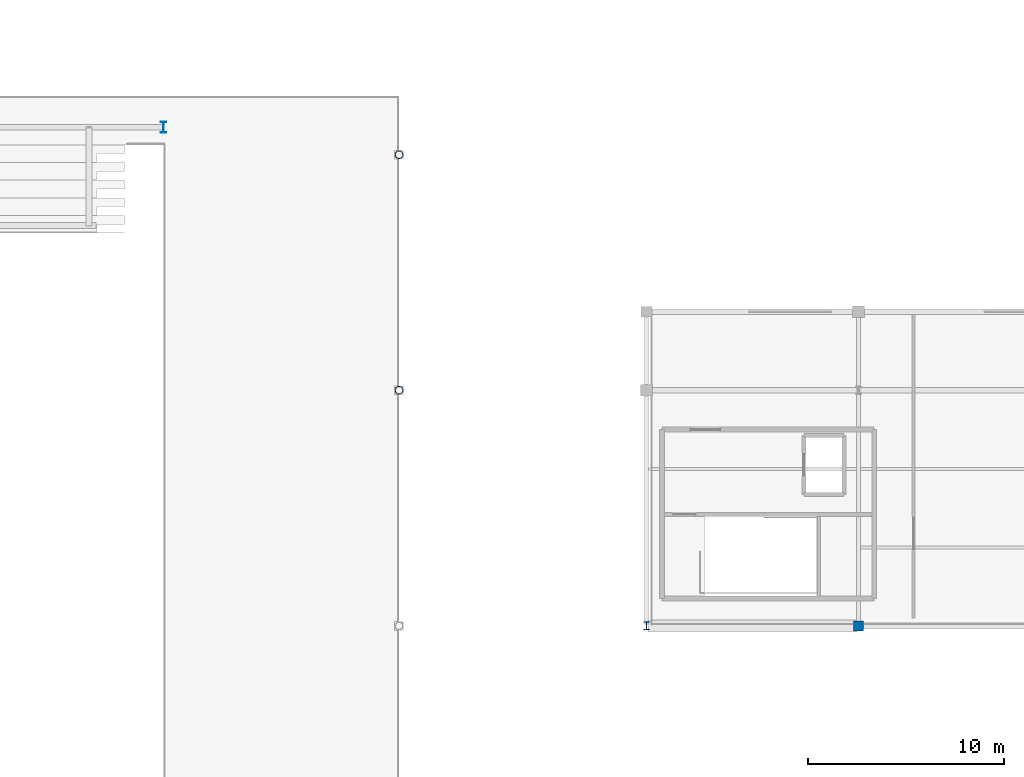
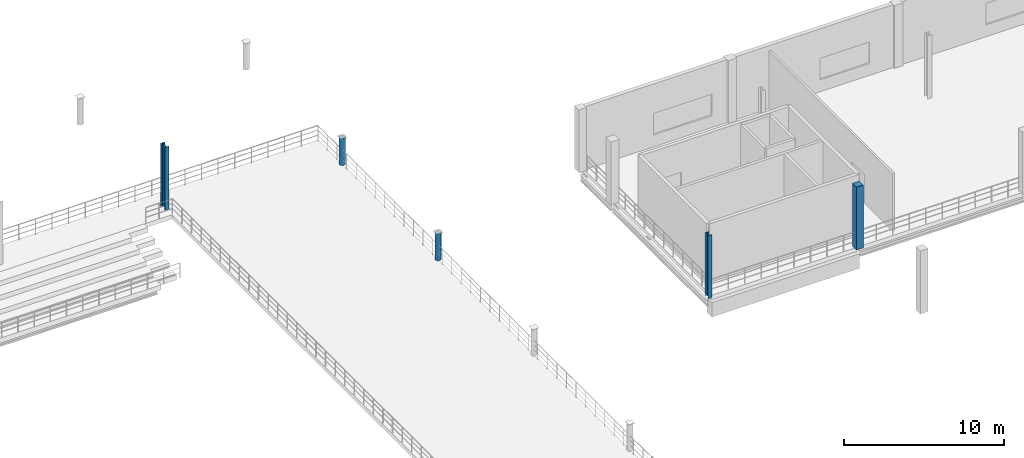
# One storey, part 7 of 52: 5 columns.
"""IFC4 building model written with IfcOpenShell, lengths in metres."""

from ifc_helpers import new_model, si_unit, direction, frame, origin, origin_2d, place, context, subcontext, project, spatial, rectangle, hollow_circle, i_section, extrude, material, material_profile, profile_set, type_object, element, save


model = new_model("IFC4")

# Units and contexts
model_context = context("Model", 3, precision=1e-05, world=origin(), true_north=direction((0.0, 1.0)))
body_context = subcontext(model_context, "Body", "Model", "MODEL_VIEW")
ifc_project = project(units=[si_unit("LENGTHUNIT", "METRE"), si_unit("AREAUNIT", "SQUARE_METRE"), si_unit("VOLUMEUNIT", "CUBIC_METRE"), si_unit("PLANEANGLEUNIT", "RADIAN"), si_unit("MASSUNIT", "GRAM", prefix="KILO"), si_unit("THERMODYNAMICTEMPERATUREUNIT", "KELVIN"), si_unit("POWERUNIT", "WATT")], contexts=[model_context])

# Site, building, storey
site_placement = place(None, origin())
site = spatial("IfcSite", under=ifc_project, at=site_placement, CompositionType="ELEMENT")
building_placement = place(site_placement, origin())
building = spatial("IfcBuilding", under=site, at=building_placement, Name="Solmara Park Aquatics Centre", CompositionType="ELEMENT")
storey_placement = place(building_placement, frame((0.0, 0.0, 9.60009765625)))
storey = spatial("IfcBuildingStorey", under=building, at=storey_placement, Name="L02", CompositionType="ELEMENT", Elevation=9.60009765625)

# Columns
ifc_material_1 = material(Name="Structural Steel S355", Category="steel")
ifc_material_profile_1 = material_profile(ifc_material_1, hollow_circle(Radius=0.203125, WallThickness=0.01611328125, at=origin_2d()), Name="CHS 406.4x16")
ifc_profile_set_1 = profile_set([ifc_material_profile_1], Name="Structural Steel S355")
column_type_1 = type_object("IfcColumnType", Name="STR-COL-CHS406", PredefinedType="COLUMN", material=ifc_profile_set_1)
for number, where, z_axis, x_axis, name in (
    (1, (96.60009765625, 48.60009765625, 0.0), (0.0, 0.0, 1.0), (1.0, 0.0, 0.0), "Column L02-0518"),
    (2, (96.60009765625, 60.60009765625, 0.0), (0.0, 0.0, 1.0), (1.0, 0.0, 0.0), "Column L02-0519"),
):
    element("IfcColumn", number, at=place(storey_placement, frame(where, z_axis=z_axis, x_axis=x_axis)), inside=storey, type_object=column_type_1, Name=name, PredefinedType="COLUMN", context=body_context, shape_type="SweptSolid", body=[
        extrude(hollow_circle(Radius=0.203125, WallThickness=0.01611328125, at=origin_2d()), origin(), (0.0, 0.0, 1.0), 2.059814453125),
    ])
ifc_material_profile_2 = material_profile(ifc_material_1, i_section(OverallWidth=0.300048828125, OverallDepth=0.39990234375, WebThickness=0.013427734375, FlangeThickness=0.02392578125, FilletRadius=0.027099609375, at=origin_2d()), Name="HEB 400")
ifc_profile_set_2 = profile_set([ifc_material_profile_2], Name="Structural Steel S355")
column_type_2 = type_object("IfcColumnType", Name="STR-COL-HEB400", PredefinedType="COLUMN", material=ifc_profile_set_2)
column_1_placement = place(storey_placement, frame((109.199951171875, 36.60009765625, 0.0), z_axis=(0.0, 0.0, 1.0), x_axis=(1.0, 0.0, 0.0)))
element("IfcColumn", 3, at=column_1_placement, inside=storey, type_object=column_type_2, Name="Column L02-0528", PredefinedType="COLUMN", context=body_context, shape_type="SweptSolid", body=[
    extrude(i_section(OverallWidth=0.300048828125, OverallDepth=0.39990234375, WebThickness=0.013427734375, FlangeThickness=0.02392578125, FilletRadius=0.027099609375, at=origin_2d()), origin(), (0.0, 0.0, 1.0), 4.7998046875),
])
ifc_material_profile_3 = material_profile(ifc_material_1, i_section(OverallWidth=0.300048828125, OverallDepth=0.550048828125, WebThickness=0.014892578125, FlangeThickness=0.029052734375, FilletRadius=0.027099609375, at=origin_2d()), Name="HEB 550")
ifc_profile_set_3 = profile_set([ifc_material_profile_3], Name="Structural Steel S355")
column_type_3 = type_object("IfcColumnType", Name="STR-COL-HEB550", PredefinedType="COLUMN", material=ifc_profile_set_3)
column_2_placement = place(storey_placement, frame((84.60009765625, 62.0, 0.0), z_axis=(0.0, 0.0, 1.0), x_axis=(1.0, 0.0, 0.0)))
element("IfcColumn", 4, at=column_2_placement, inside=storey, type_object=column_type_3, Name="Column L02-0509", PredefinedType="COLUMN", context=body_context, shape_type="SweptSolid", body=[
    extrude(i_section(OverallWidth=0.300048828125, OverallDepth=0.550048828125, WebThickness=0.014892578125, FlangeThickness=0.029052734375, FilletRadius=0.027099609375, at=origin_2d()), origin(), (0.0, 0.0, 1.0), 4.7998046875),
])
ifc_material_2 = material(Name="Concrete C40/50", Category="concrete")
ifc_material_profile_4 = material_profile(ifc_material_2, rectangle(XDim=0.5, YDim=0.5, at=origin_2d()), Name="RC 500x500")
ifc_profile_set_4 = profile_set([ifc_material_profile_4], Name="Concrete C40/50")
column_type_4 = type_object("IfcColumnType", Name="STR-COL-RC500", PredefinedType="COLUMN", material=ifc_profile_set_4)
column_3_placement = place(storey_placement, frame((120.0, 36.60009765625, 0.0), z_axis=(0.0, 0.0, 1.0), x_axis=(1.0, 0.0, 0.0)))
element("IfcColumn", 5, at=column_3_placement, inside=storey, type_object=column_type_4, Name="Column L02-0539", PredefinedType="COLUMN", context=body_context, shape_type="SweptSolid", body=[
    extrude(rectangle(XDim=0.5, YDim=0.5, at=origin_2d()), origin(), (0.0, 0.0, 1.0), 4.7998046875),
])

save(model, "model.ifc")
